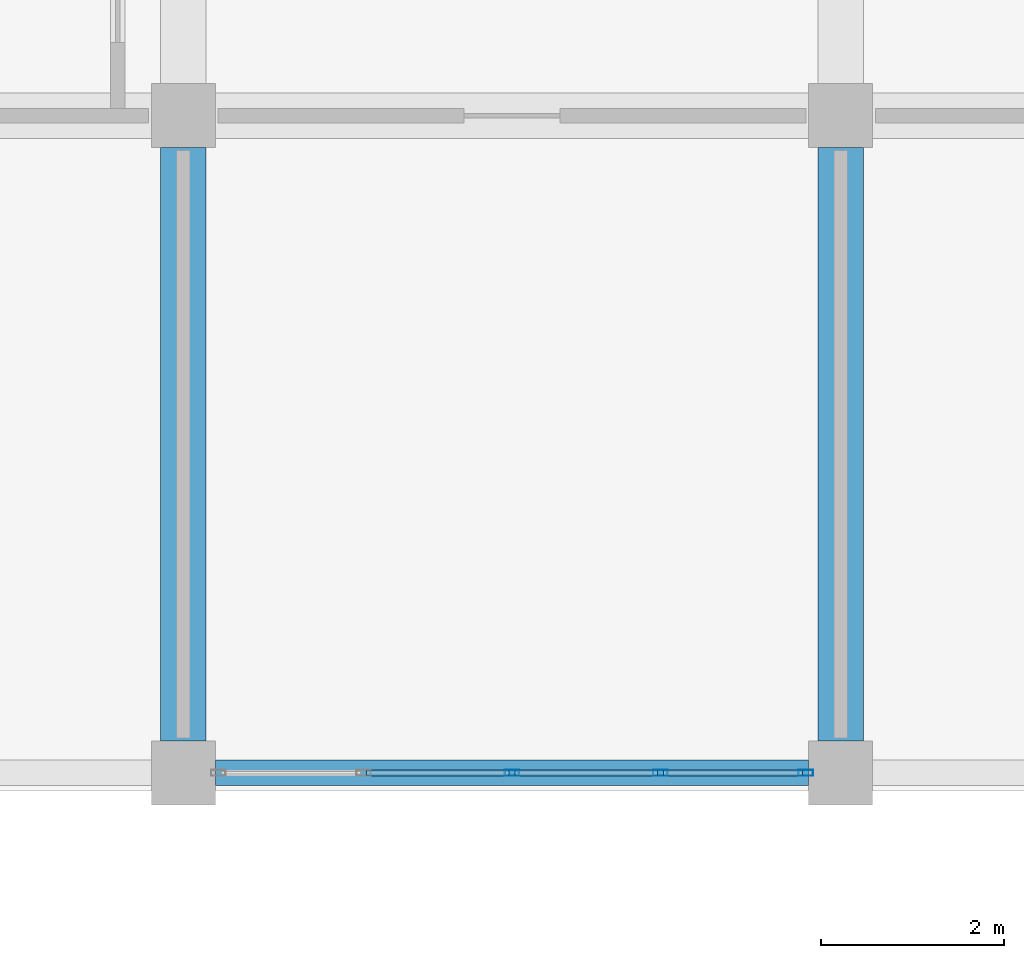
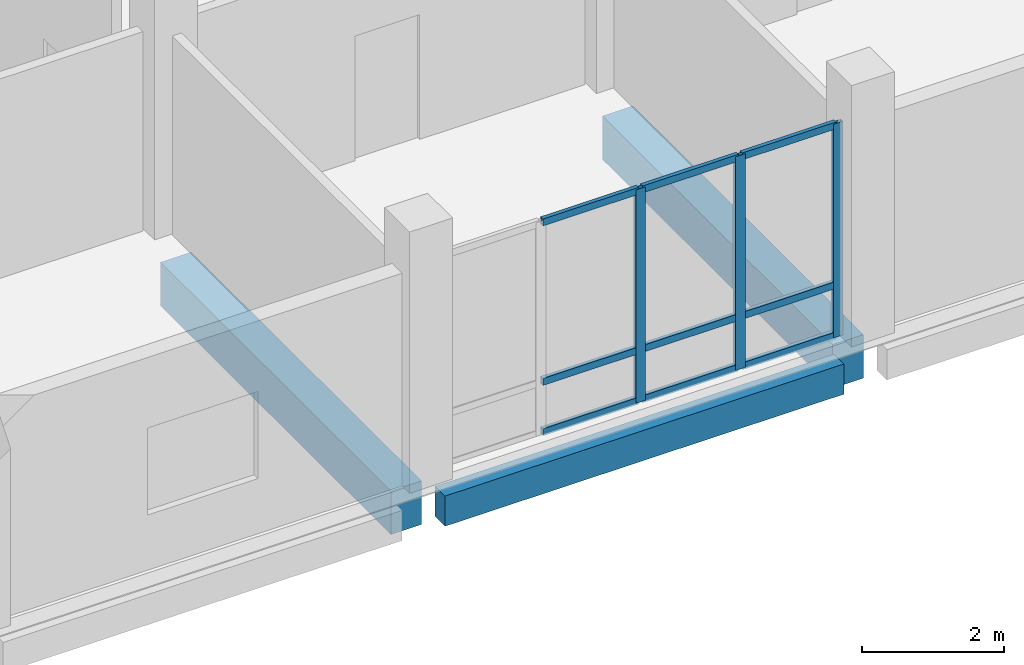
# One storey, part 71 of 139: 12 members, 3 beams, 1 element without a shape of its own.
"""IFC4 building model written with IfcOpenShell, lengths in metres."""

from ifc_helpers import new_model, si_unit, direction, frame, origin, origin_2d, place, context, subcontext, project, spatial, rectangle, hollow_rectangle, extrude, material, material_profile, profile_set, type_object, element, aggregate, save


model = new_model("IFC4")

# Units and contexts
model_context = context("Model", 3, precision=1e-05, world=origin(), true_north=direction((0.0, 1.0)))
body_context = subcontext(model_context, "Body", "Model", "MODEL_VIEW")
ifc_project = project(units=[si_unit("LENGTHUNIT", "METRE"), si_unit("AREAUNIT", "SQUARE_METRE"), si_unit("VOLUMEUNIT", "CUBIC_METRE"), si_unit("PLANEANGLEUNIT", "RADIAN"), si_unit("MASSUNIT", "GRAM", prefix="KILO")], contexts=[model_context])

# Site, building, storey
site_placement = place(None, origin())
site = spatial("IfcSite", under=ifc_project, at=site_placement, CompositionType="ELEMENT")
building_placement = place(site_placement, origin())
building = spatial("IfcBuilding", under=site, at=building_placement, Name="Suanplinth Sawtooth Commons", CompositionType="ELEMENT")
storey_placement = place(building_placement, origin())
storey = spatial("IfcBuildingStorey", under=building, at=storey_placement, Name="L00", CompositionType="ELEMENT", Elevation=0.0)

# Beams
ifc_material_1 = material(Name="Concrete C40/50", Category="concrete")
ifc_material_profile_1 = material_profile(ifc_material_1, rectangle(XDim=0.5, YDim=0.75, at=origin_2d()), Name="RC-GDR 500x750")
ifc_profile_set_1 = profile_set([ifc_material_profile_1], Name="Concrete C40/50")
beam_type_1 = type_object("IfcBeamType", Name="B-03", PredefinedType="USERDEFINED", material=ifc_profile_set_1)
for number, where, z_axis, x_axis, name in (
    (1, (151.199951171875, 0.35009765625, -0.794921875), (0.0, 1.0, 0.0), (-1.0, 0.0, 0.0), "BMY-L00-C-21-0"),
    (2, (158.39990234375, 0.35009765625, -0.794921875), (0.0, 1.0, 0.0), (-1.0, 0.0, 0.0), "BMY-L00-C-22-0"),
):
    element("IfcBeam", number, at=place(storey_placement, frame(where, z_axis=z_axis, x_axis=x_axis)), inside=storey, type_object=beam_type_1, Name=name, ObjectType="GIRDER", PredefinedType="USERDEFINED", context=body_context, shape_type="SweptSolid", body=[
        extrude(rectangle(XDim=0.5, YDim=0.75, at=origin_2d()), origin(), (0.0, 0.0, 1.0), 6.5),
    ])
ifc_material_2 = material(Name="Precast concrete C40/50", Category="concrete")
ifc_material_profile_2 = material_profile(ifc_material_2, rectangle(XDim=0.280029296875, YDim=0.52001953125, at=origin_2d()), Name="PC-SP 280x520")
ifc_profile_set_2 = profile_set([ifc_material_profile_2], Name="Precast concrete C40/50")
beam_type_2 = type_object("IfcBeamType", Name="B-08", PredefinedType="SPANDREL", material=ifc_profile_set_2)
beam_placement = place(storey_placement, frame((151.550048828125, 0.0, -0.679931640625), z_axis=(1.0, 0.0, 0.0), x_axis=(0.0, 1.0, 0.0)))
element("IfcBeam", 3, at=beam_placement, inside=storey, type_object=beam_type_2, Name="BMX-L00-C-21-0", PredefinedType="SPANDREL", context=body_context, shape_type="SweptSolid", body=[
    extrude(rectangle(XDim=0.280029296875, YDim=0.52001953125, at=origin_2d()), origin(), (0.0, 0.0, 1.0), 6.5),
])

# Curtain wall, members
ifc_material_3 = material(Name="Anodized aluminium and low-E glazing", Category="aluminium")
curtain_wall_type = type_object("IfcCurtainWallType", Name="CW-04", PredefinedType="USERDEFINED", material=ifc_material_3)
curtain_wall_placement = place(storey_placement, origin())
curtain_wall = element("IfcCurtainWall", 4, at=curtain_wall_placement, inside=storey, type_object=curtain_wall_type, Name="Curtain Wall CW-L00-C-S-21", ObjectType="CURTAIN WALL", PredefinedType="USERDEFINED")
ifc_material_4 = material(Name="Anodized aluminium 6063-T6", Category="aluminium")
ifc_material_profile_3 = material_profile(ifc_material_4, hollow_rectangle(XDim=0.06494140625, YDim=0.159912109375, WallThickness=0.00390625, at=origin_2d()), Name="ALU-MUL 65x160")
ifc_profile_set_3 = profile_set([ifc_material_profile_3], Name="Anodized aluminium 6063-T6")
member_type_1 = type_object("IfcMemberType", Name="M-13", PredefinedType="MULLION", material=ifc_profile_set_3)
member_1_placement = place(storey_placement, frame((154.800048828125, 0.0, 0.0), z_axis=(0.0, 0.0, 1.0), x_axis=(0.0, 1.0, 0.0)))
member_1 = element("IfcMember", 5, at=member_1_placement, type_object=member_type_1, Name="CW-04 mullion 3", PredefinedType="MULLION", context=body_context, shape_type="SweptSolid", body=[
    extrude(hollow_rectangle(XDim=0.06494140625, YDim=0.159912109375, WallThickness=0.00390625, at=origin_2d()), origin(), (0.0, 0.0, 1.0), 3.679931640625),
])
member_2_placement = place(storey_placement, frame((156.425048828125, 0.0, 0.0), z_axis=(0.0, 0.0, 1.0), x_axis=(0.0, 1.0, 0.0)))
member_2 = element("IfcMember", 6, at=member_2_placement, type_object=member_type_1, Name="CW-04 mullion 4", PredefinedType="MULLION", context=body_context, shape_type="SweptSolid", body=[
    extrude(hollow_rectangle(XDim=0.06494140625, YDim=0.159912109375, WallThickness=0.00390625, at=origin_2d()), origin(), (0.0, 0.0, 1.0), 3.679931640625),
])
member_3_placement = place(storey_placement, frame((158.017578125, 0.0, 0.0), z_axis=(0.0, 0.0, 1.0), x_axis=(0.0, 1.0, 0.0)))
member_3 = element("IfcMember", 7, at=member_3_placement, type_object=member_type_1, Name="CW-04 mullion 5", PredefinedType="MULLION", context=body_context, shape_type="SweptSolid", body=[
    extrude(hollow_rectangle(XDim=0.06494140625, YDim=0.159912109375, WallThickness=0.00390625, at=origin_2d()), origin(), (0.0, 0.0, 1.0), 3.679931640625),
])
ifc_material_profile_4 = material_profile(ifc_material_4, hollow_rectangle(XDim=0.06494140625, YDim=0.1201171875, WallThickness=0.00390625, at=origin_2d()), Name="ALU-TRN 65x120")
ifc_profile_set_4 = profile_set([ifc_material_profile_4], Name="Anodized aluminium 6063-T6")
member_type_2 = type_object("IfcMemberType", Name="M-15", PredefinedType="USERDEFINED", material=ifc_profile_set_4)
member_4_placement = place(storey_placement, frame((153.20751953125, 0.0, 0.032470703125), z_axis=(1.0, 0.0, 0.0), x_axis=(0.0, 1.0, 0.0)))
member_4 = element("IfcMember", 8, at=member_4_placement, type_object=member_type_2, Name="CW-04 transom 2.1", ObjectType="TRANSOM", PredefinedType="USERDEFINED", context=body_context, shape_type="SweptSolid", body=[
    extrude(hollow_rectangle(XDim=0.06494140625, YDim=0.1201171875, WallThickness=0.00390625, at=origin_2d()), origin(), (0.0, 0.0, 1.0), 1.56005859375),
])
member_5_placement = place(storey_placement, frame((153.20751953125, 0.0, 0.89990234375), z_axis=(1.0, 0.0, 0.0), x_axis=(0.0, 1.0, 0.0)))
member_5 = element("IfcMember", 9, at=member_5_placement, type_object=member_type_2, Name="CW-04 transom 2.2", ObjectType="TRANSOM", PredefinedType="USERDEFINED", context=body_context, shape_type="SweptSolid", body=[
    extrude(hollow_rectangle(XDim=0.06494140625, YDim=0.1201171875, WallThickness=0.00390625, at=origin_2d()), origin(), (0.0, 0.0, 1.0), 1.56005859375),
])
member_6_placement = place(storey_placement, frame((153.20751953125, 0.0, 3.6474609375), z_axis=(1.0, 0.0, 0.0), x_axis=(0.0, 1.0, 0.0)))
member_6 = element("IfcMember", 10, at=member_6_placement, type_object=member_type_2, Name="CW-04 transom 2.3", ObjectType="TRANSOM", PredefinedType="USERDEFINED", context=body_context, shape_type="SweptSolid", body=[
    extrude(hollow_rectangle(XDim=0.06494140625, YDim=0.1201171875, WallThickness=0.00390625, at=origin_2d()), origin(), (0.0, 0.0, 1.0), 1.56005859375),
])
member_7_placement = place(storey_placement, frame((154.83251953125, 0.0, 0.032470703125), z_axis=(1.0, 0.0, 0.0), x_axis=(0.0, 1.0, 0.0)))
member_7 = element("IfcMember", 11, at=member_7_placement, type_object=member_type_2, Name="CW-04 transom 3.1", ObjectType="TRANSOM", PredefinedType="USERDEFINED", context=body_context, shape_type="SweptSolid", body=[
    extrude(hollow_rectangle(XDim=0.06494140625, YDim=0.1201171875, WallThickness=0.00390625, at=origin_2d()), origin(), (0.0, 0.0, 1.0), 1.56005859375),
])
member_8_placement = place(storey_placement, frame((154.83251953125, 0.0, 0.89990234375), z_axis=(1.0, 0.0, 0.0), x_axis=(0.0, 1.0, 0.0)))
member_8 = element("IfcMember", 12, at=member_8_placement, type_object=member_type_2, Name="CW-04 transom 3.2", ObjectType="TRANSOM", PredefinedType="USERDEFINED", context=body_context, shape_type="SweptSolid", body=[
    extrude(hollow_rectangle(XDim=0.06494140625, YDim=0.1201171875, WallThickness=0.00390625, at=origin_2d()), origin(), (0.0, 0.0, 1.0), 1.56005859375),
])
member_9_placement = place(storey_placement, frame((154.83251953125, 0.0, 3.6474609375), z_axis=(1.0, 0.0, 0.0), x_axis=(0.0, 1.0, 0.0)))
member_9 = element("IfcMember", 13, at=member_9_placement, type_object=member_type_2, Name="CW-04 transom 3.3", ObjectType="TRANSOM", PredefinedType="USERDEFINED", context=body_context, shape_type="SweptSolid", body=[
    extrude(hollow_rectangle(XDim=0.06494140625, YDim=0.1201171875, WallThickness=0.00390625, at=origin_2d()), origin(), (0.0, 0.0, 1.0), 1.56005859375),
])
member_10_placement = place(storey_placement, frame((156.45751953125, 0.0, 0.032470703125), z_axis=(1.0, 0.0, 0.0), x_axis=(0.0, 1.0, 0.0)))
member_10 = element("IfcMember", 14, at=member_10_placement, type_object=member_type_2, Name="CW-04 transom 4.1", ObjectType="TRANSOM", PredefinedType="USERDEFINED", context=body_context, shape_type="SweptSolid", body=[
    extrude(hollow_rectangle(XDim=0.06494140625, YDim=0.1201171875, WallThickness=0.00390625, at=origin_2d()), origin(), (0.0, 0.0, 1.0), 1.527587890625),
])
member_11_placement = place(storey_placement, frame((156.45751953125, 0.0, 0.89990234375), z_axis=(1.0, 0.0, 0.0), x_axis=(0.0, 1.0, 0.0)))
member_11 = element("IfcMember", 15, at=member_11_placement, type_object=member_type_2, Name="CW-04 transom 4.2", ObjectType="TRANSOM", PredefinedType="USERDEFINED", context=body_context, shape_type="SweptSolid", body=[
    extrude(hollow_rectangle(XDim=0.06494140625, YDim=0.1201171875, WallThickness=0.00390625, at=origin_2d()), origin(), (0.0, 0.0, 1.0), 1.527587890625),
])
member_12_placement = place(storey_placement, frame((156.45751953125, 0.0, 3.6474609375), z_axis=(1.0, 0.0, 0.0), x_axis=(0.0, 1.0, 0.0)))
member_12 = element("IfcMember", 16, at=member_12_placement, type_object=member_type_2, Name="CW-04 transom 4.3", ObjectType="TRANSOM", PredefinedType="USERDEFINED", context=body_context, shape_type="SweptSolid", body=[
    extrude(hollow_rectangle(XDim=0.06494140625, YDim=0.1201171875, WallThickness=0.00390625, at=origin_2d()), origin(), (0.0, 0.0, 1.0), 1.527587890625),
])
aggregate(curtain_wall, [member_1, member_2, member_3, member_4, member_5, member_6, member_7, member_8, member_9, member_10, member_11, member_12])

save(model, "model.ifc")
